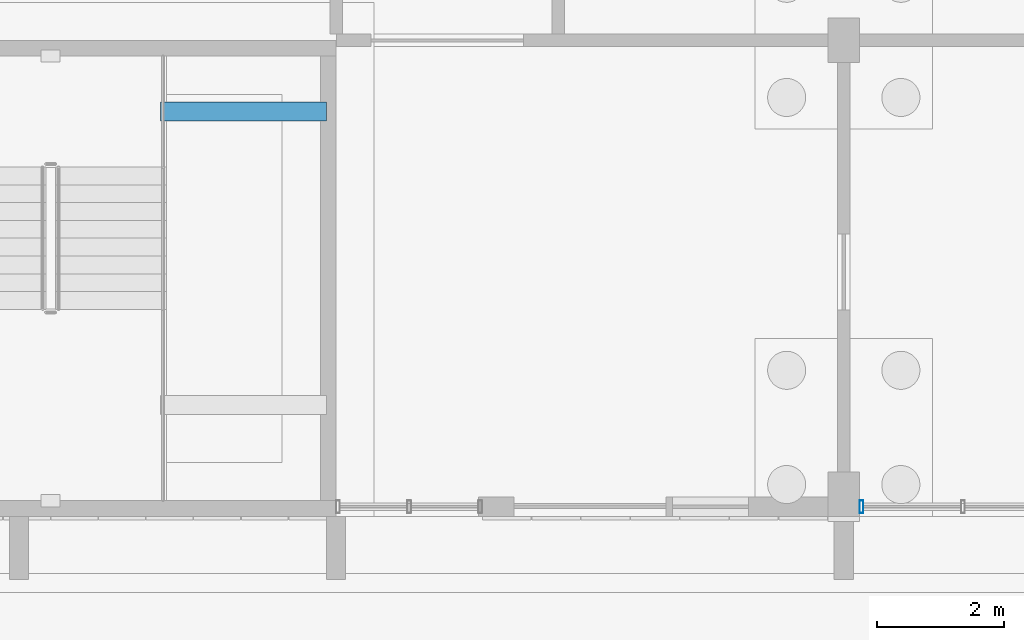
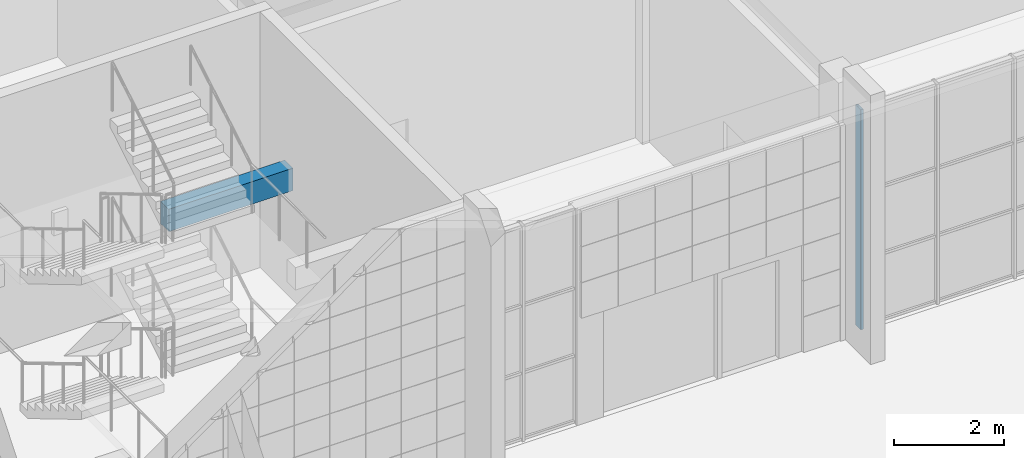
# One storey, part 25 of 125: 1 beam, 1 member, 1 element without a shape of its own.
"""IFC4 building model written with IfcOpenShell, lengths in metres."""

from ifc_helpers import new_model, si_unit, direction, frame, origin, origin_2d, place, context, subcontext, project, spatial, rectangle, hollow_rectangle, extrude, material, material_profile, profile_set, type_object, element, aggregate, save


model = new_model("IFC4")

# Units and contexts
model_context = context("Model", 3, precision=1e-05, world=origin(), true_north=direction((0.0, 1.0)))
body_context = subcontext(model_context, "Body", "Model", "MODEL_VIEW")
ifc_project = project(units=[si_unit("LENGTHUNIT", "METRE"), si_unit("AREAUNIT", "SQUARE_METRE"), si_unit("VOLUMEUNIT", "CUBIC_METRE"), si_unit("PLANEANGLEUNIT", "RADIAN"), si_unit("MASSUNIT", "GRAM", prefix="KILO")], contexts=[model_context])

# Site, building, storey
site_placement = place(None, origin())
site = spatial("IfcSite", under=ifc_project, at=site_placement, CompositionType="ELEMENT")
building_placement = place(site_placement, origin())
building = spatial("IfcBuilding", under=site, at=building_placement, Name="Sun Court Science Centre", CompositionType="ELEMENT")
storey_placement = place(building_placement, origin())
storey = spatial("IfcBuildingStorey", under=building, at=storey_placement, Name="L00", CompositionType="ELEMENT", Elevation=0.0)

# Curtain wall, member
ifc_material_1 = material(Name="Aluminium EN AW-6063 T6", Category="aluminium")
curtain_wall_type = type_object("IfcCurtainWallType", Name="Laboratory tall bay curtain wall 1500", PredefinedType="NOTDEFINED", material=ifc_material_1)
curtain_wall_placement = place(storey_placement, origin())
curtain_wall = element("IfcCurtainWall", 1, at=curtain_wall_placement, inside=storey, type_object=curtain_wall_type, Name="Curtain wall V4 S L00 01", PredefinedType="NOTDEFINED")
ifc_material_2 = material(Name="Aluminium EN AW-6063 T6", Category="aluminium")
ifc_material_profile_1 = material_profile(ifc_material_2, hollow_rectangle(XDim=0.06005859375, YDim=0.199951171875, WallThickness=0.0048828125, InnerFilletRadius=0.0048828125, OuterFilletRadius=0.007568359375, at=origin_2d()), Name="AL 60x200x5")
ifc_profile_set_1 = profile_set([ifc_material_profile_1], Name="Aluminium EN AW-6063 T6")
member_type = type_object("IfcMemberType", Name="Curtain wall mullion AL 60x200", PredefinedType="MULLION", material=ifc_profile_set_1)
member_placement = place(storey_placement, frame((95.280029296875, 6.14990234375, 0.0), z_axis=(0.0, 0.0, 1.0), x_axis=(-1.0, 0.0, 0.0)))
member = element("IfcMember", 2, at=member_placement, type_object=member_type, Name="CW2-47 mullion 6", PredefinedType="MULLION", context=body_context, shape_type="SweptSolid", body=[
    extrude(hollow_rectangle(XDim=0.06005859375, YDim=0.199951171875, WallThickness=0.0048828125, InnerFilletRadius=0.0048828125, OuterFilletRadius=0.007568359375, at=origin_2d()), origin(), (0.0, 0.0, 1.0), 4.89990234375),
])
aggregate(curtain_wall, [member])

# Beam
ifc_material_3 = material(Name="Concrete C25/30", Category="concrete")
ifc_material_profile_2 = material_profile(ifc_material_3, rectangle(XDim=0.300048828125, YDim=0.5, at=origin_2d()), Name="RC 300x500")
ifc_profile_set_2 = profile_set([ifc_material_profile_2], Name="Concrete C25/30")
beam_type = type_object("IfcBeamType", Name="RC landing trimmer 300x500", PredefinedType="BEAM", material=ifc_profile_set_2)
beam_placement = place(storey_placement, frame((86.85009765625, 12.3759765625, 2.550048828125), z_axis=(-1.0, 0.0, 0.0), x_axis=(0.0, -1.0, 0.0)))
element("IfcBeam", 3, at=beam_placement, inside=storey, type_object=beam_type, Name="SL1 landing 2 trimmer beam 5", PredefinedType="BEAM", context=body_context, shape_type="SweptSolid", body=[
    extrude(rectangle(XDim=0.300048828125, YDim=0.5, at=origin_2d()), origin(), (0.0, 0.0, 1.0), 2.6171875),
])

save(model, "model.ifc")
